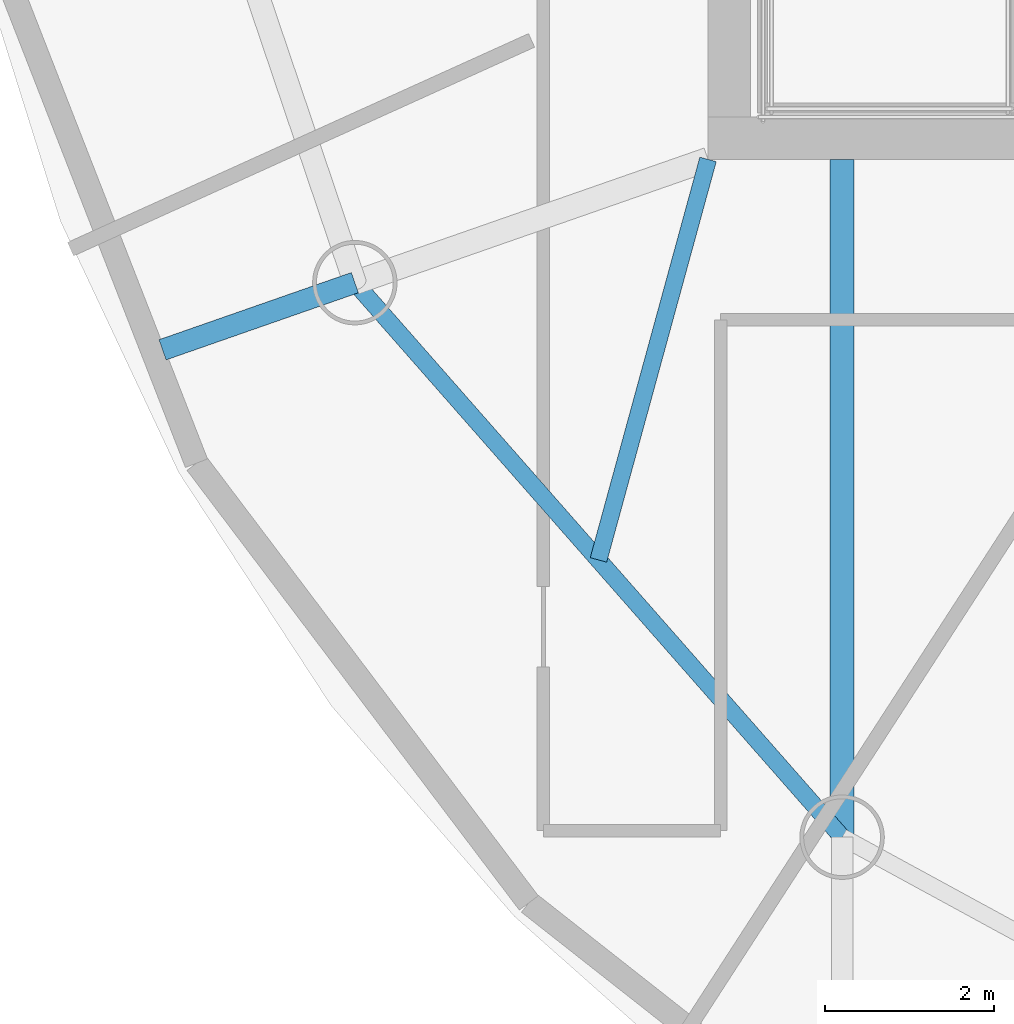
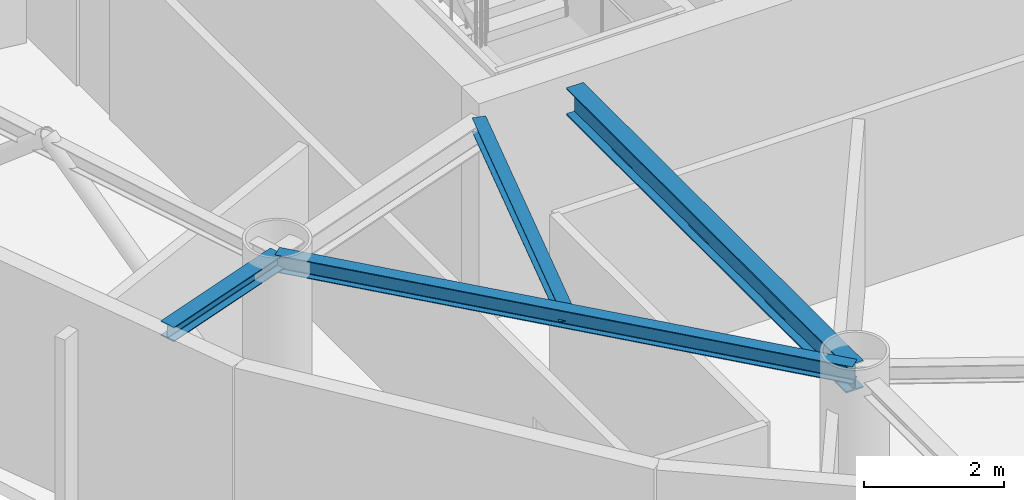
# One storey, part 3 of 20: 4 beams.
"""IFC4 building model written with IfcOpenShell, lengths in metres."""

from ifc_helpers import new_model, si_unit, direction, frame, origin, origin_2d, place, context, subcontext, project, spatial, i_section, extrude, material, material_profile, profile_set, type_object, element, save


model = new_model("IFC4")

# Units and contexts
model_context = context("Model", 3, precision=1e-05, world=origin(), true_north=direction((0.0, 1.0)))
body_context = subcontext(model_context, "Body", "Model", "MODEL_VIEW")
ifc_project = project(units=[si_unit("LENGTHUNIT", "METRE"), si_unit("AREAUNIT", "SQUARE_METRE"), si_unit("VOLUMEUNIT", "CUBIC_METRE"), si_unit("PLANEANGLEUNIT", "RADIAN"), si_unit("MASSUNIT", "GRAM", prefix="KILO")], contexts=[model_context])

# Site, building, storey
site_placement = place(None, origin())
site = spatial("IfcSite", under=ifc_project, at=site_placement, CompositionType="ELEMENT")
building_placement = place(site_placement, origin())
building = spatial("IfcBuilding", under=site, at=building_placement, Name="Bramvorn Convention Spire", CompositionType="ELEMENT")
storey_placement = place(building_placement, frame((0.0, 0.0, 276.699951171875)))
storey = spatial("IfcBuildingStorey", under=building, at=storey_placement, Name="L70", CompositionType="ELEMENT", Elevation=276.699951171875)

# Beams
ifc_material = material(Name="Steel CSA G40.21 Grade 350 (350W)", Category="steel")
ifc_material_profile_1 = material_profile(ifc_material, i_section(OverallWidth=0.201904296875, OverallDepth=0.2470703125, WebThickness=0.00732421875, FlangeThickness=0.010986328125, FilletRadius=0.011962890625, at=origin_2d()))
ifc_profile_set_1 = profile_set([ifc_material_profile_1], Name="Steel CSA G40.21 Grade 350 (350W) - W250X49")
beam_type_1 = type_object("IfcBeamType", Name="BM-W250X49", PredefinedType="JOIST", material=ifc_profile_set_1)
beam_1_placement = place(storey_placement, frame((26.75, 18.550048828125, 3.50146484375), z_axis=(-0.26386506219, -0.96455960363, 0.0), x_axis=(0.96455960363, -0.26386506219, 0.0)))
element("IfcBeam", 1, at=beam_1_placement, inside=storey, type_object=beam_type_1, Name="L70 composite floor joist 13", PredefinedType="JOIST", context=body_context, shape_type="SweptSolid", body=[
    extrude(i_section(OverallWidth=0.201904296875, OverallDepth=0.2470703125, WebThickness=0.00732421875, FlangeThickness=0.010986328125, FilletRadius=0.011962890625, at=origin_2d()), origin(), (0.0, 0.0, 1.0), 4.917724609375),
])
ifc_material_profile_2 = material_profile(ifc_material, i_section(OverallWidth=0.25390625, OverallDepth=0.2529296875, WebThickness=0.008544921875, FlangeThickness=0.01416015625, FilletRadius=0.011962890625, at=origin_2d()))
ifc_profile_set_2 = profile_set([ifc_material_profile_2], Name="Steel CSA G40.21 Grade 350 (350W) - W250X73")
beam_type_2 = type_object("IfcBeamType", Name="BM-W250X73", PredefinedType="BEAM", material=ifc_profile_set_2)
beam_2_placement = place(storey_placement, frame((22.5673828125, 17.090087890625, 3.49853515625), z_axis=(-0.944104248803, -0.329647034557, 0.0), x_axis=(0.329647034557, -0.944104248803, 0.0)))
element("IfcBeam", 2, at=beam_2_placement, inside=storey, type_object=beam_type_2, Name="L70 slab-edge cantilever tip beam MC13", PredefinedType="BEAM", context=body_context, shape_type="SweptSolid", body=[
    extrude(i_section(OverallWidth=0.25390625, OverallDepth=0.2529296875, WebThickness=0.008544921875, FlangeThickness=0.01416015625, FilletRadius=0.011962890625, at=origin_2d()), origin(), (0.0, 0.0, 1.0), 2.412109375),
])
ifc_material_profile_3 = material_profile(ifc_material, i_section(OverallWidth=0.202880859375, OverallDepth=0.302978515625, WebThickness=0.007568359375, FlangeThickness=0.01318359375, FilletRadius=0.013916015625, at=origin_2d()))
ifc_profile_set_3 = profile_set([ifc_material_profile_3], Name="Steel CSA G40.21 Grade 350 (350W) - W310X60")
beam_type_3 = type_object("IfcBeamType", Name="BM-W310X60", PredefinedType="JOIST", material=ifc_profile_set_3)
beam_3_placement = place(storey_placement, frame((22.5673828125, 17.090087890625, 3.4736328125), z_axis=(0.660073062339, -0.751201405999, 0.0), x_axis=(0.751201405999, 0.660073062339, 0.0)))
element("IfcBeam", 3, at=beam_3_placement, inside=storey, type_object=beam_type_3, Name="L70 mega-column ring beam 13", PredefinedType="JOIST", context=body_context, shape_type="SweptSolid", body=[
    extrude(i_section(OverallWidth=0.202880859375, OverallDepth=0.302978515625, WebThickness=0.007568359375, FlangeThickness=0.01318359375, FilletRadius=0.013916015625, at=origin_2d()), origin(), (0.0, 0.0, 1.0), 8.741943359375),
])
ifc_material_profile_4 = material_profile(ifc_material, i_section(OverallWidth=0.283935546875, OverallDepth=0.47607421875, WebThickness=0.014892578125, FlangeThickness=0.02392578125, FilletRadius=0.01806640625, at=origin_2d()))
ifc_profile_set_4 = profile_set([ifc_material_profile_4], Name="Steel CSA G40.21 Grade 350 (350W) - W460X158")
beam_type_4 = type_object("IfcBeamType", Name="BM-W460X158", PredefinedType="SPANDREL", material=ifc_profile_set_4)
beam_4_placement = place(storey_placement, frame((28.337646484375, 18.550048828125, 3.386962890625), z_axis=(0.0, -1.0, 0.0), x_axis=(1.0, 0.0, 0.0)))
element("IfcBeam", 4, at=beam_4_placement, inside=storey, type_object=beam_type_4, Name="L70 radial floor girder MC14", PredefinedType="SPANDREL", context=body_context, shape_type="SweptSolid", body=[
    extrude(i_section(OverallWidth=0.283935546875, OverallDepth=0.47607421875, WebThickness=0.014892578125, FlangeThickness=0.02392578125, FilletRadius=0.01806640625, at=origin_2d()), origin(), (0.0, 0.0, 1.0), 8.02685546875),
])

save(model, "model.ifc")
